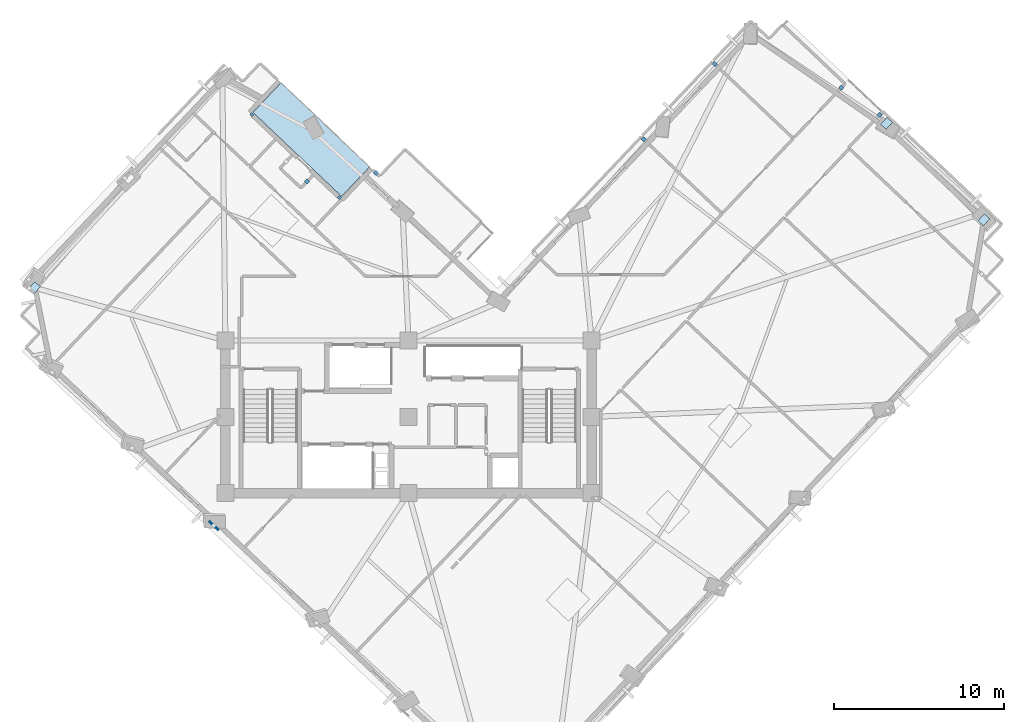
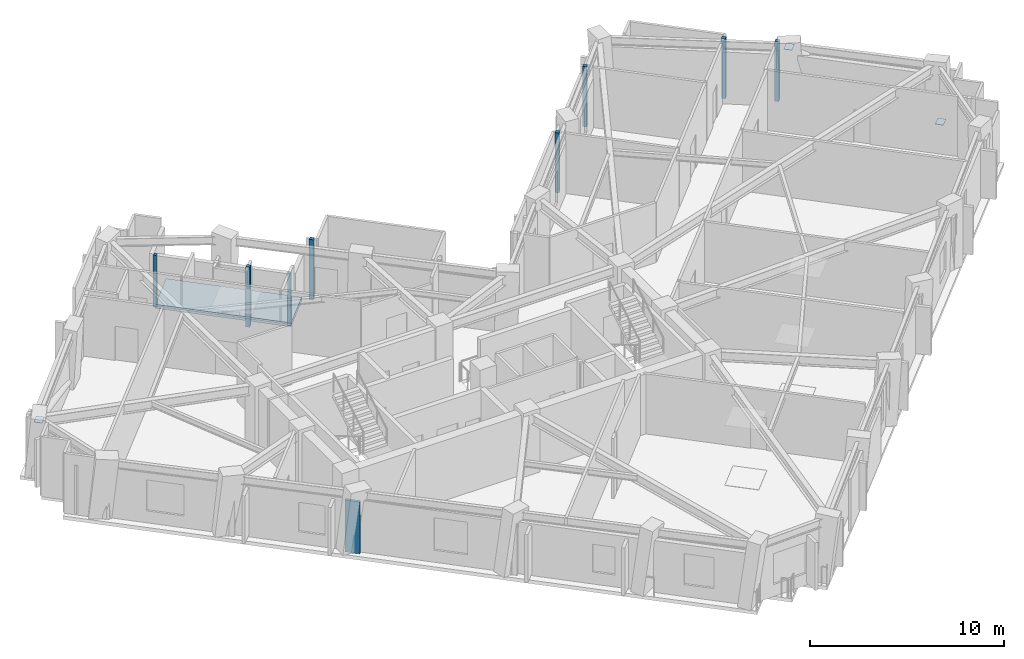
# One storey, part 3 of 12: 11 plates, 1 slab, 1 wall.
"""IFC4 building model written with IfcOpenShell, lengths in metres."""

import ifcopenshell
import ifcopenshell.guid

model = None  # the IFC model being written
_history = None  # IfcOwnerHistory: only IFC2X3 demands one
_inside = {}  # id of a spatial element -> (the spatial element, [elements in it])
_under = {}  # id of a project, library or spatial element -> (it, [spatial elements below it])
_declared = {}  # id of a project -> (the project, [libraries it declares])
_typed = {}  # id of a type object -> (the type object, [elements of that type])
_made_of = {}  # id of a material, layer set ... -> (it, [elements and type objects made of it])


def new_model(schema):
    """Start an empty IFC model of exactly this schema.

    Asked for "IFC4X3", IfcOpenShell would pick the latest addendum, in which some entities
    have other attributes; the version numbers below select the first issue.
    IFC2X3 requires an IfcOwnerHistory on every rooted entity: one is made here for all.
    """
    global model, _history
    if schema == "IFC4X3":
        model = ifcopenshell.file(schema_version=(4, 3, 0, 0))
    else:
        model = ifcopenshell.file(schema=schema)
    _inside.clear()
    _under.clear()
    _declared.clear()
    _typed.clear()
    _made_of.clear()
    _history = None
    if model.schema == "IFC2X3":
        org = make("IfcOrganization", Name="unknown")
        user = make(
            "IfcPersonAndOrganization",
            ThePerson=make("IfcPerson", FamilyName="unknown"),
            TheOrganization=org,
        )
        app = make(
            "IfcApplication",
            ApplicationDeveloper=org,
            Version="unknown",
            ApplicationFullName="unknown",
            ApplicationIdentifier="unknown",
        )
        _history = make(
            "IfcOwnerHistory",
            OwningUser=user,
            OwningApplication=app,
            ChangeAction="ADDED",
            CreationDate=0,
        )
    return model


def make(cls, **values):
    """One entity of the class cls with the attributes given. An attribute that is None is left unset."""
    return model.create_entity(
        cls, **{name: value for name, value in values.items() if value is not None}
    )


def rooted(cls, **values):
    """An entity with a GlobalId (a new one), such as an element, a storey or a relation."""
    return make(cls, GlobalId=ifcopenshell.guid.new(), OwnerHistory=_history, **values)


def si_unit(unit_type, name, prefix=None):
    """IfcSIUnit, for example si_unit("LENGTHUNIT", "METRE", prefix="MILLI")."""
    return make("IfcSIUnit", UnitType=unit_type, Prefix=prefix, Name=name)


def assignment(units):
    """IfcUnitAssignment: the units of a project."""
    return None if units is None else make("IfcUnitAssignment", Units=units)


def point(xyz):
    """IfcCartesianPoint."""
    return None if xyz is None else make("IfcCartesianPoint", Coordinates=xyz)


def direction(xyz):
    """IfcDirection."""
    return None if xyz is None else make("IfcDirection", DirectionRatios=xyz)


def frame(location, z_axis=None, x_axis=None):
    """IfcAxis2Placement3D, a coordinate frame: its origin and axes. An axis left out is left unset."""
    return make(
        "IfcAxis2Placement3D",
        Location=point(location),
        Axis=direction(z_axis),
        RefDirection=direction(x_axis),
    )


def frame_2d(location, x_axis=None):
    """IfcAxis2Placement2D, a coordinate frame in the plane: its origin and x axis."""
    return make(
        "IfcAxis2Placement2D", Location=point(location), RefDirection=direction(x_axis)
    )


def origin():
    """The frame at (0, 0, 0) with its axes left unset."""
    return frame((0.0, 0.0, 0.0))


def origin_2d():
    """The frame at (0, 0) in the plane with its x axis left unset."""
    return frame_2d((0.0, 0.0))


def place(relative_to, where):
    """IfcLocalPlacement: puts the frame where relative to a parent placement (None: the world)."""
    return make(
        "IfcLocalPlacement", PlacementRelTo=relative_to, RelativePlacement=where
    )


def context(
    kind, dimensions, precision=None, world=None, true_north=None, identifier=None
):
    """IfcGeometricRepresentationContext, for example the 3D "Model" context."""
    return make(
        "IfcGeometricRepresentationContext",
        ContextIdentifier=identifier,
        ContextType=kind,
        CoordinateSpaceDimension=dimensions,
        Precision=precision,
        WorldCoordinateSystem=world,
        TrueNorth=true_north,
    )


def subcontext(parent, identifier, kind, view, scale=None):
    """IfcGeometricRepresentationSubContext, for example "Body" below "Model"."""
    return make(
        "IfcGeometricRepresentationSubContext",
        ContextIdentifier=identifier,
        ContextType=kind,
        ParentContext=parent,
        TargetScale=scale,
        TargetView=view,
    )


def project(units=None, contexts=None):
    """IfcProject with its units and contexts."""
    return rooted(
        "IfcProject",
        Name="project",
        RepresentationContexts=contexts,
        UnitsInContext=assignment(units),
    )


def spatial(cls, under=None, at=None, **own):
    """A site, building, storey or space (cls), placed at a placement, below another one or the project."""
    s = rooted(cls, ObjectPlacement=at, **own)
    if under is not None:
        _under.setdefault(under.id(), (under, []))[1].append(s)
    return s


def polyline(points):
    """IfcPolyline through the points."""
    return make("IfcPolyline", Points=[point(p) for p in points])


def profile(cls, at=None, kind="AREA", **sizes):
    """A parametric profile (cls). Its sizes go by their IFC names, for example OverallWidth=200.0."""
    return make(cls, ProfileType=kind, Position=at, **sizes)


def rectangle(**sizes):
    """IfcRectangleProfileDef."""
    return profile("IfcRectangleProfileDef", **sizes)


def outline(outer, holes=None, kind="AREA"):
    """IfcArbitraryClosedProfileDef: a profile drawn as a closed curve; with holes, ...WithVoids."""
    if holes is None:
        return make("IfcArbitraryClosedProfileDef", ProfileType=kind, OuterCurve=outer)
    return make(
        "IfcArbitraryProfileDefWithVoids",
        ProfileType=kind,
        OuterCurve=outer,
        InnerCurves=holes,
    )


def extrude(swept, where, along, depth):
    """IfcExtrudedAreaSolid: the profile swept, set in the frame where, extruded along a direction by depth."""
    return make(
        "IfcExtrudedAreaSolid",
        SweptArea=swept,
        Position=where,
        ExtrudedDirection=direction(along),
        Depth=depth,
    )


def shape(context_of_items, identifier, shape_type, items):
    """IfcShapeRepresentation: the items that make up one representation, for example the "Body"."""
    return make(
        "IfcShapeRepresentation",
        ContextOfItems=context_of_items,
        RepresentationIdentifier=identifier,
        RepresentationType=shape_type,
        Items=items,
    )


def material(Name=None, Category=None):
    """IfcMaterial."""
    return make("IfcMaterial", Name=Name, Category=Category)


def layer(
    of_material, thickness, ventilated=None, Name=None, Category=None, Priority=None
):
    """IfcMaterialLayer: one layer of a wall or slab, of a material (None: an air gap)."""
    return make(
        "IfcMaterialLayer",
        Material=of_material,
        LayerThickness=thickness,
        IsVentilated=ventilated,
        Name=Name,
        Category=Category,
        Priority=Priority,
    )


def layer_set(layers, Name=None):
    """IfcMaterialLayerSet."""
    return make("IfcMaterialLayerSet", MaterialLayers=layers, LayerSetName=Name)


def made_of(thing, what):
    """Note that an element or type object is made of a material, layer set ...; save() writes the relation."""
    if what is not None:
        _made_of.setdefault(what.id(), (what, []))[1].append(thing)
    return thing


def type_object(cls, material=None, **own):
    """A type object (cls), such as IfcWallType, which elements share."""
    return made_of(rooted(cls, **own), material)


def element(
    cls,
    number,
    at=None,
    inside=None,
    cuts=None,
    type_object=None,
    material=None,
    context=None,
    identifier="Body",
    shape_type=None,
    held_by="IfcProductDefinitionShape",
    body=None,
    shapes=None,
    **own,
):
    """One element of the class cls, such as IfcWall. Its Tag is "e" and its number.

    at: its placement. inside: the storey or other place that contains it. cuts: it is an
    opening in that element (IfcRelVoidsElement). A single representation is given by context,
    identifier, shape_type and body (its items); several are given by shapes. held_by: the class
    of the entity that holds the representations. save() writes the other relations.
    """
    e = rooted(cls, Tag="e%d" % number, ObjectPlacement=at, **own)
    if body is not None:
        shapes = [shape(context, identifier, shape_type, body)]
    if shapes is not None:
        e.Representation = make(held_by, Representations=shapes)
    if inside is not None:
        _inside.setdefault(inside.id(), (inside, []))[1].append(e)
    if cuts is not None:
        rooted(
            "IfcRelVoidsElement", RelatingBuildingElement=cuts, RelatedOpeningElement=e
        )
    if type_object is not None:
        _typed.setdefault(type_object.id(), (type_object, []))[1].append(e)
    return made_of(e, material)


def aggregate(whole, parts):
    """IfcRelAggregates: a whole, such as a stair, and the parts it consists of."""
    return rooted("IfcRelAggregates", RelatingObject=whole, RelatedObjects=parts)


def save(model, path):
    """Write the relations noted so far, then the file.

    IfcRelAggregates (storeys below a building ...), IfcRelContainedInSpatialStructure (elements
    in a storey), IfcRelDefinesByType, IfcRelAssociatesMaterial and IfcRelDeclares: one each for
    every whole, place, type object, material and project.
    """
    for whole, parts in _under.values():
        aggregate(whole, parts)
    for where, things in _inside.values():
        rooted(
            "IfcRelContainedInSpatialStructure",
            RelatedElements=things,
            RelatingStructure=where,
        )
    for kind, things in _typed.values():
        rooted("IfcRelDefinesByType", RelatedObjects=things, RelatingType=kind)
    for what, things in _made_of.values():
        rooted("IfcRelAssociatesMaterial", RelatedObjects=things, RelatingMaterial=what)
    for by, libraries in _declared.values():
        rooted("IfcRelDeclares", RelatingContext=by, RelatedDefinitions=libraries)
    model.write(path)


model = new_model("IFC4")

# Units and contexts
model_context = context("Model", 3, precision=1e-05, world=origin(), true_north=direction((0.0, 1.0)))
body_context = subcontext(model_context, "Body", "Model", "MODEL_VIEW")
ifc_project = project(units=[si_unit("LENGTHUNIT", "METRE"), si_unit("AREAUNIT", "SQUARE_METRE"), si_unit("VOLUMEUNIT", "CUBIC_METRE"), si_unit("PLANEANGLEUNIT", "RADIAN"), si_unit("MASSUNIT", "GRAM", prefix="KILO")], contexts=[model_context])

# Site, building, storey
site_placement = place(None, origin())
site = spatial("IfcSite", under=ifc_project, at=site_placement, CompositionType="ELEMENT")
building_placement = place(site_placement, origin())
building = spatial("IfcBuilding", under=site, at=building_placement, Name="Gaonmaruhae Medical Tower", CompositionType="ELEMENT")
storey_placement = place(building_placement, frame((0.0, 0.0, 223.199951171875)))
storey = spatial("IfcBuildingStorey", under=building, at=storey_placement, Name="L53", CompositionType="ELEMENT", Elevation=223.199951171875)

# Plates
ifc_material_1 = material(Name="Steel HSA650 (650 MPa)", Category="steel")
ifc_layer_1 = layer(ifc_material_1, 0.028076171875)
ifc_layer_set_1 = layer_set([ifc_layer_1], Name="Steel HSA650 (650 MPa)")
plate_type_1 = type_object("IfcPlateType", Name="GP-02 Tube Brace End Cap Gusset Plate", PredefinedType="USERDEFINED", material=ifc_layer_set_1)
for number, where, z_axis, x_axis, name in (
    (1, (58.735107421875, 23.923828125, 0.23583984375), (0.0, 0.0, 1.0), (0.687721305114, 0.725974797422, 0.0), "L53 Gusset Cap Plate PLT-L53-PBR-E01A"),
    (2, (52.99560546875, 29.6103515625, 3.51611328125), (0.0, 0.0, 1.0), (0.675590207616, 0.73727733681, 0.0), "L53 Gusset Cap Plate PLT-L53-PBR-E01B"),
    (3, (2.74169921875, 19.913818359375, 3.51611328125), (0.0, 0.0, 1.0), (0.675590207616, 0.73727733681, 0.0), "L53 Gusset Cap Plate PLT-L53-PBR-N02B"),
):
    element("IfcPlate", number, at=place(storey_placement, frame(where, z_axis=z_axis, x_axis=x_axis)), inside=storey, type_object=plate_type_1, Name=name, ObjectType="GUSSET_PLATE", PredefinedType="USERDEFINED", context=body_context, shape_type="SweptSolid", body=[
        extrude(rectangle(XDim=0.56005859375, YDim=0.43994140625, at=origin_2d()), origin(), (0.0, 0.0, 1.0), 0.028076171875),
    ])
ifc_material_2 = material(Name="Anodised aluminium 6063-T6", Category="aluminium")
ifc_layer_2 = layer(ifc_material_2, 0.011962890625)
ifc_layer_set_2 = layer_set([ifc_layer_2], Name="Anodised aluminium 6063-T6")
plate_type_2 = type_object("IfcPlateType", Name="PP-01 Interior Partition Corner Stiffener Plate", PredefinedType="SHEET", material=ifc_layer_set_2)
for number, where, z_axis, x_axis, name in (
    (4, (15.5595703125, 30.12646484375, 0.0), (0.0, 0.0, 1.0), (0.725974797422, -0.687721305114, 0.0), "L53 Partition End Jamb Post Plate PLT-L53-ENDP-TERB-0"),
    (5, (20.728515625, 25.229736328125, 0.0), (0.0, 0.0, 1.0), (0.725974797422, -0.687721305114, 0.0), "L53 Partition End Jamb Post Plate PLT-L53-ENDP-TERB-1"),
):
    element("IfcPlate", number, at=place(storey_placement, frame(where, z_axis=z_axis, x_axis=x_axis)), inside=storey, type_object=plate_type_2, Name=name, PredefinedType="SHEET", context=body_context, shape_type="SweptSolid", body=[
        extrude(rectangle(XDim=0.179931640625, YDim=0.179931640625, at=origin_2d()), origin(), (0.0, 0.0, 1.0), 3.264892578125),
    ])
for number, where, z_axis, x_axis, name in (
    (6, (38.66796875, 28.67041015625, 0.0), (0.0, 0.0, 1.0), (0.726370776024, -0.687303059602, 0.0), "L53 Partition Corner Stiffener Plate PLT-L53-JGP-PW050"),
    (7, (42.866943359375, 33.1025390625, 0.0), (0.0, 0.0, 1.0), (0.726370776024, -0.687303059602, 0.0), "L53 Partition Corner Stiffener Plate PLT-L53-JGP-PW058"),
    (8, (50.325927734375, 31.7109375, 0.0), (0.0, 0.0, 1.0), (-0.688088665871, -0.725626617414, 0.0), "L53 Partition Corner Stiffener Plate PLT-L53-JGP-PW062"),
    (9, (22.884033203125, 26.6865234375, 0.0), (0.0, 0.0, 1.0), (0.725806733736, -0.687898673689, 0.0), "L53 Partition Corner Stiffener Plate PLT-L53-JGP-PW072"),
    (10, (18.8173828125, 26.1826171875, 0.0), (0.0, 0.0, 1.0), (0.687873337835, 0.725830745488, 0.0), "L53 Partition Corner Stiffener Plate PLT-L53-JGP-PW076"),
    (11, (52.5849609375, 30.111083984375, 0.0), (0.0, 0.0, 1.0), (0.687746645996, 0.725950790978, 0.0), "L53 Partition Corner Stiffener Plate PLT-L53-JGP-PW092"),
):
    element("IfcPlate", number, at=place(storey_placement, frame(where, z_axis=z_axis, x_axis=x_axis)), inside=storey, type_object=plate_type_2, Name=name, PredefinedType="SHEET", context=body_context, shape_type="SweptSolid", body=[
        extrude(rectangle(XDim=0.219970703125, YDim=0.219970703125, at=origin_2d()), origin(), (0.0, 0.0, 1.0), 3.780029296875),
    ])

# Slab
ifc_material_3 = material(Name="Concrete C40/50", Category="concrete")
ifc_layer_3 = layer(ifc_material_3, 0.239990234375)
ifc_layer_set_3 = layer_set([ifc_layer_3], Name="Concrete C40/50")
slab_type = type_object("IfcSlabType", Name="TS-240 Sky Garden & Recovery Terrace Slab", PredefinedType="FLOOR", material=ifc_layer_set_3)
slab_placement = place(storey_placement, frame((0.0, 0.0, -0.239990234375)))
element("IfcSlab", 12, at=slab_placement, inside=storey, type_object=slab_type, Name="L53 Outdoor Recovery Terrace Slab", PredefinedType="FLOOR", context=body_context, shape_type="SweptSolid", body=[
    extrude(outline(polyline([(20.853759765625, 25.303955078125), (22.50439453125, 27.04638671875), (17.27734375, 31.997802734375), (15.626708984375, 30.255615234375), (20.853759765625, 25.303955078125)])), origin(), (0.0, 0.0, 1.0), 0.239990234375),
])

# Wall
ifc_material_4 = material(Name="Gypsum board partition", Category="gypsum")
ifc_layer_4 = layer(ifc_material_4, 0.14990234375)
ifc_layer_set_4 = layer_set([ifc_layer_4], Name="Gypsum board partition")
wall_type = type_object("IfcWallType", Name="PW-150 Rated Clinical Corridor Partition", PredefinedType="PARTITIONING", material=ifc_layer_set_4)
wall_placement = place(storey_placement, frame((13.60205078125, 5.615966796875, 0.0), z_axis=(0.0, 0.0, 1.0), x_axis=(-0.725734838311, 0.68797452312, 0.0)))
element("IfcWall", 13, at=wall_placement, inside=storey, type_object=wall_type, Name="L53 Interior Partition L53-WOF08-31", PredefinedType="PARTITIONING", context=body_context, shape_type="SweptSolid", body=[
    extrude(rectangle(XDim=0.795166015625, YDim=0.14990234375, at=frame_2d((0.3974609375, 0.0))), origin(), (0.0, 0.0, 1.0), 3.26513671875),
])

save(model, "model.ifc")
